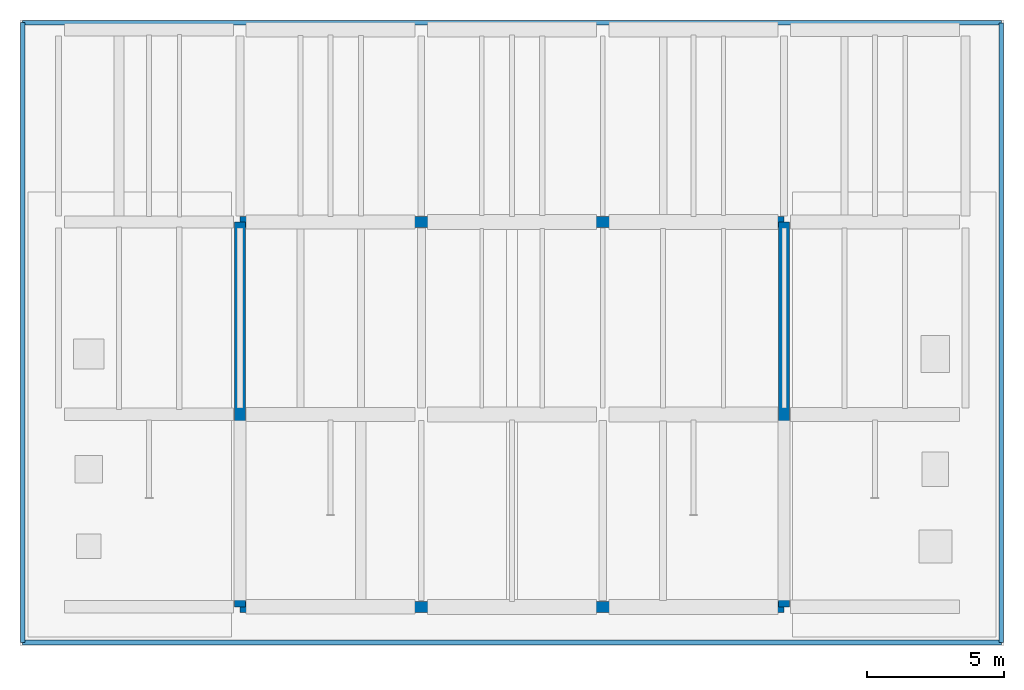
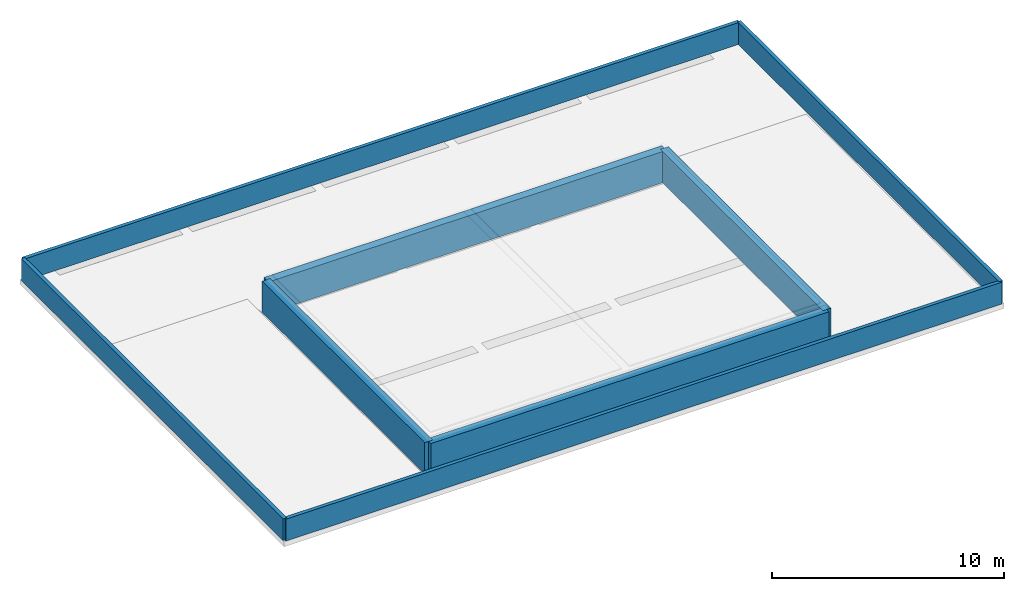
# One storey, part 5 of 6: 8 walls.
"""IFC4 building model written with IfcOpenShell, lengths in metres."""

from ifc_helpers import new_model, si_unit, direction, frame, frame_2d, origin, place, context, subcontext, project, spatial, rectangle, extrude, material, layer, layer_set, type_object, element, save


model = new_model("IFC4")

# Units and contexts
model_context = context("Model", 3, precision=1e-05, world=origin(), true_north=direction((0.0, 1.0)))
body_context = subcontext(model_context, "Body", "Model", "MODEL_VIEW")
ifc_project = project(units=[si_unit("LENGTHUNIT", "METRE"), si_unit("AREAUNIT", "SQUARE_METRE"), si_unit("VOLUMEUNIT", "CUBIC_METRE"), si_unit("PLANEANGLEUNIT", "RADIAN"), si_unit("MASSUNIT", "GRAM", prefix="KILO")], contexts=[model_context])

# Site, building, storey
site_placement = place(None, origin())
site = spatial("IfcSite", under=ifc_project, at=site_placement, CompositionType="ELEMENT")
building_placement = place(site_placement, origin())
building = spatial("IfcBuilding", under=site, at=building_placement, Name="Ciguamira Faculty of Natural Sciences", CompositionType="ELEMENT")
storey_placement = place(building_placement, frame((0.0, 0.0, 50.39990234375)))
storey = spatial("IfcBuildingStorey", under=building, at=storey_placement, Name="Roof", CompositionType="ELEMENT", Elevation=50.39990234375)

# Walls
ifc_material_1 = material(Name="Precast concrete C40/50", Category="concrete")
ifc_layer_1 = layer(ifc_material_1, 0.179931640625, Name="Precast concrete C40/50")
ifc_layer_set_1 = layer_set([ifc_layer_1], Name="Precast concrete C40/50")
wall_type_1 = type_object("IfcWallType", Name="ExtWall_PR-W1_180", PredefinedType="PARAPET", material=ifc_layer_set_1)
wall_1_placement = place(storey_placement, frame((69.199951171875, 92.699951171875, 0.0), z_axis=(0.0, 0.0, 1.0), x_axis=(1.0, 0.0, 0.0)))
element("IfcWall", 1, at=wall_1_placement, inside=storey, type_object=wall_type_1, Name="Roof hurricane parapet 1", PredefinedType="PARAPET", context=body_context, shape_type="SweptSolid", body=[
    extrude(rectangle(XDim=35.60009765625, YDim=0.179931640625, at=frame_2d((17.800048828125, 0.0))), origin(), (0.0, 0.0, 1.0), 1.150146484375),
])
wall_2_placement = place(storey_placement, frame((104.800048828125, 92.699951171875, 0.0), z_axis=(0.0, 0.0, 1.0), x_axis=(0.0, 1.0, 0.0)))
element("IfcWall", 2, at=wall_2_placement, inside=storey, type_object=wall_type_1, Name="Roof hurricane parapet 2", PredefinedType="PARAPET", context=body_context, shape_type="SweptSolid", body=[
    extrude(rectangle(XDim=22.550048828125, YDim=0.179931640625, at=frame_2d((11.27490234375, 0.0))), origin(), (0.0, 0.0, 1.0), 1.150146484375),
])
wall_3_placement = place(storey_placement, frame((104.800048828125, 115.25, 0.0), z_axis=(0.0, 0.0, 1.0), x_axis=(-1.0, 0.0, 0.0)))
element("IfcWall", 3, at=wall_3_placement, inside=storey, type_object=wall_type_1, Name="Roof hurricane parapet 3", PredefinedType="PARAPET", context=body_context, shape_type="SweptSolid", body=[
    extrude(rectangle(XDim=35.60009765625, YDim=0.179931640625, at=frame_2d((17.800048828125, 0.0))), origin(), (0.0, 0.0, 1.0), 1.150146484375),
])
wall_4_placement = place(storey_placement, frame((69.199951171875, 115.25, 0.0), z_axis=(0.0, 0.0, 1.0), x_axis=(0.0, -1.0, 0.0)))
element("IfcWall", 4, at=wall_4_placement, inside=storey, type_object=wall_type_1, Name="Roof hurricane parapet 4", PredefinedType="PARAPET", context=body_context, shape_type="SweptSolid", body=[
    extrude(rectangle(XDim=22.550048828125, YDim=0.179931640625, at=frame_2d((11.27490234375, 0.0))), origin(), (0.0, 0.0, 1.0), 1.150146484375),
])
ifc_material_2 = material(Name="Concrete C40/50", Category="concrete")
ifc_layer_2 = layer(ifc_material_2, 0.39990234375, Name="Concrete C40/50")
ifc_layer_set_2 = layer_set([ifc_layer_2], Name="Concrete C40/50")
wall_type_2 = type_object("IfcWallType", Name="ExtWall_RW-02_400", PredefinedType="SHEAR", material=ifc_layer_set_2)
wall_5_placement = place(storey_placement, frame((77.10009765625, 94.0, 0.0), z_axis=(0.0, 0.0, 1.0), x_axis=(1.0, 0.0, 0.0)))
element("IfcWall", 5, at=wall_5_placement, inside=storey, type_object=wall_type_2, Name="Roof mechanical enclosure structural wall 1", PredefinedType="SHEAR", context=body_context, shape_type="SweptSolid", body=[
    extrude(rectangle(XDim=19.7998046875, YDim=0.39990234375, at=frame_2d((9.89990234375, 0.0))), origin(), (0.0, 0.0, 1.0), 1.64013671875),
])
wall_6_placement = place(storey_placement, frame((96.89990234375, 94.0, 0.0), z_axis=(0.0, 0.0, 1.0), x_axis=(0.0, 1.0, 0.0)))
element("IfcWall", 6, at=wall_6_placement, inside=storey, type_object=wall_type_2, Name="Roof mechanical enclosure structural wall 2", PredefinedType="SHEAR", context=body_context, shape_type="SweptSolid", body=[
    extrude(rectangle(XDim=14.0, YDim=0.39990234375, at=frame_2d((7.0, 0.0))), origin(), (0.0, 0.0, 1.0), 1.64013671875),
])
wall_7_placement = place(storey_placement, frame((96.89990234375, 108.0, 0.0), z_axis=(0.0, 0.0, 1.0), x_axis=(-1.0, 0.0, 0.0)))
element("IfcWall", 7, at=wall_7_placement, inside=storey, type_object=wall_type_2, Name="Roof mechanical enclosure structural wall 3", PredefinedType="SHEAR", context=body_context, shape_type="SweptSolid", body=[
    extrude(rectangle(XDim=19.7998046875, YDim=0.39990234375, at=frame_2d((9.89990234375, 0.0))), origin(), (0.0, 0.0, 1.0), 1.64013671875),
])
wall_8_placement = place(storey_placement, frame((77.10009765625, 108.0, 0.0), z_axis=(0.0, 0.0, 1.0), x_axis=(0.0, -1.0, 0.0)))
element("IfcWall", 8, at=wall_8_placement, inside=storey, type_object=wall_type_2, Name="Roof mechanical enclosure structural wall 4", PredefinedType="SHEAR", context=body_context, shape_type="SweptSolid", body=[
    extrude(rectangle(XDim=14.0, YDim=0.39990234375, at=frame_2d((7.0, 0.0))), origin(), (0.0, 0.0, 1.0), 1.64013671875),
])

save(model, "model.ifc")
